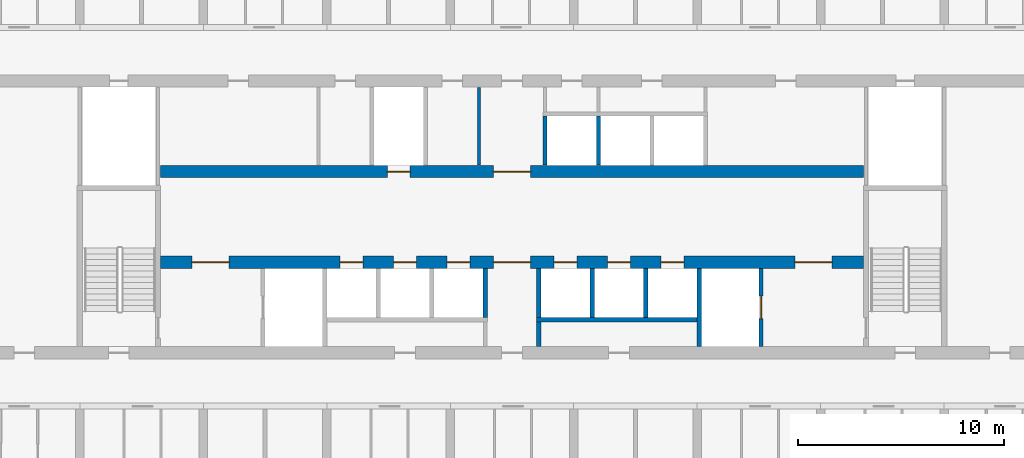
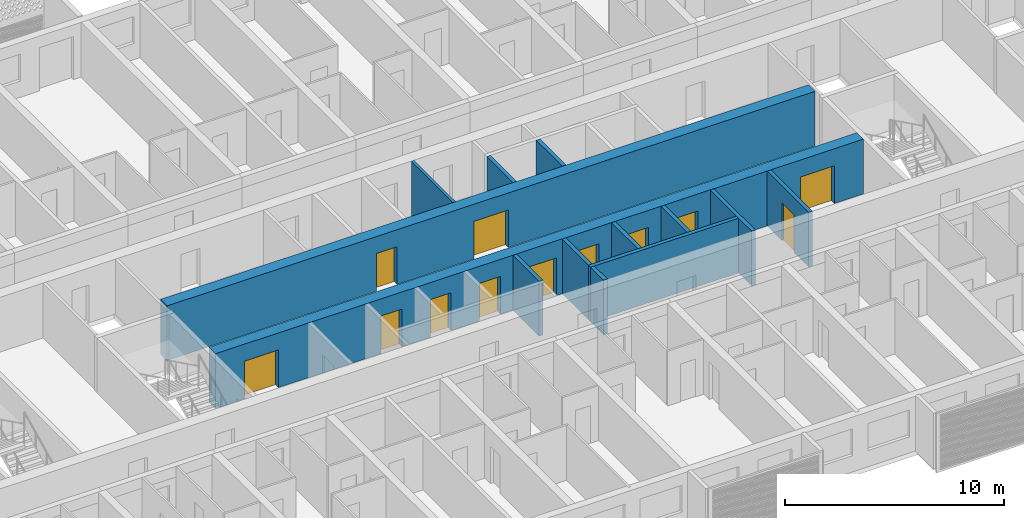
# One storey, part 8 of 40: 13 walls, 12 doors, 12 openings.
"""IFC4 building model written with IfcOpenShell, lengths in metres."""

from ifc_helpers import new_model, si_unit, direction, frame, frame_2d, origin, place, context, subcontext, project, spatial, rectangle, extrude, material, layer, layer_set, type_object, element, fill, save


model = new_model("IFC4")

# Units and contexts
model_context = context("Model", 3, precision=1e-05, world=origin(), true_north=direction((0.0, 1.0)))
body_context = subcontext(model_context, "Body", "Model", "MODEL_VIEW")
ifc_project = project(units=[si_unit("LENGTHUNIT", "METRE"), si_unit("AREAUNIT", "SQUARE_METRE"), si_unit("VOLUMEUNIT", "CUBIC_METRE"), si_unit("PLANEANGLEUNIT", "RADIAN"), si_unit("MASSUNIT", "GRAM", prefix="KILO")], contexts=[model_context])

# Site, building, storey
site_placement = place(None, origin())
site = spatial("IfcSite", under=ifc_project, at=site_placement, CompositionType="ELEMENT")
building_placement = place(site_placement, origin())
building = spatial("IfcBuilding", under=site, at=building_placement, Name="Poui Terraces", CompositionType="ELEMENT")
storey_placement = place(building_placement, frame((0.0, 0.0, 36.60009765625)))
storey = spatial("IfcBuildingStorey", under=building, at=storey_placement, Name="L09", CompositionType="ELEMENT", Elevation=36.60009765625)

# Wall, openings, doors
ifc_material_1 = material(Name="Concrete 80 MPa", Category="concrete")
ifc_layer_1 = layer(ifc_material_1, 0.60009765625)
ifc_layer_set_1 = layer_set([ifc_layer_1], Name="Concrete 80 MPa")
wall_type_1 = type_object("IfcWallType", Name="CORE WALL 600 80 MPA", PredefinedType="SOLIDWALL", material=ifc_layer_set_1)
wall_1_placement = place(storey_placement, frame((33.925048828125, 19.0, 0.0), z_axis=(0.0, 0.0, 1.0), x_axis=(1.0, 0.0, 0.0)))
wall_1 = element("IfcWall", 1, at=wall_1_placement, inside=storey, type_object=wall_type_1, Name="CORE WALL", PredefinedType="SOLIDWALL", context=body_context, shape_type="SweptSolid", body=[
    extrude(rectangle(XDim=34.14990234375, YDim=0.60009765625, at=frame_2d((17.074951171875, 0.0))), origin(), (0.0, 0.0, 1.0), 3.0498046875),
])
opening_1_placement = place(wall_1_placement, frame((16.175048828125, 0.0, 0.0)))
opening_1 = element("IfcOpeningElement", 2, at=opening_1_placement, cuts=wall_1, Name="Opening FDD60", PredefinedType="OPENING", context=body_context, shape_type="SweptSolid", body=[
    extrude(rectangle(XDim=1.800048828125, YDim=2.10009765625, at=frame_2d((0.89990234375, 1.050048828125))), frame((0.0, 0.31005859375, 0.0), z_axis=(0.0, -1.0, 0.0), x_axis=(1.0, 0.0, 0.0)), (0.0, 0.0, 1.0), 0.6201171875),
])
opening_2_placement = place(wall_1_placement, frame((1.52490234375, 0.0, 0.0)))
opening_2 = element("IfcOpeningElement", 3, at=opening_2_placement, cuts=wall_1, Name="Opening FDD60", PredefinedType="OPENING", context=body_context, shape_type="SweptSolid", body=[
    extrude(rectangle(XDim=1.800048828125, YDim=2.10009765625, at=frame_2d((0.89990234375, 1.050048828125))), frame((0.0, 0.31005859375, 0.0), z_axis=(0.0, -1.0, 0.0), x_axis=(1.0, 0.0, 0.0)), (0.0, 0.0, 1.0), 0.6201171875),
])
opening_3_placement = place(wall_1_placement, frame((8.72509765625, 0.0, 0.0)))
opening_3 = element("IfcOpeningElement", 4, at=opening_3_placement, cuts=wall_1, Name="Opening LD", PredefinedType="OPENING", context=body_context, shape_type="SweptSolid", body=[
    extrude(rectangle(XDim=1.10009765625, YDim=2.10009765625, at=frame_2d((0.550048828125, 1.050048828125))), frame((0.0, 0.31005859375, 0.0), z_axis=(0.0, -1.0, 0.0), x_axis=(1.0, 0.0, 0.0)), (0.0, 0.0, 1.0), 0.6201171875),
])
opening_4_placement = place(wall_1_placement, frame((11.324951171875, 0.0, 0.0)))
opening_4 = element("IfcOpeningElement", 5, at=opening_4_placement, cuts=wall_1, Name="Opening LD", PredefinedType="OPENING", context=body_context, shape_type="SweptSolid", body=[
    extrude(rectangle(XDim=1.10009765625, YDim=2.10009765625, at=frame_2d((0.550048828125, 1.050048828125))), frame((0.0, 0.31005859375, 0.0), z_axis=(0.0, -1.0, 0.0), x_axis=(1.0, 0.0, 0.0)), (0.0, 0.0, 1.0), 0.6201171875),
])
opening_5_placement = place(wall_1_placement, frame((13.925048828125, 0.0, 0.0)))
opening_5 = element("IfcOpeningElement", 6, at=opening_5_placement, cuts=wall_1, Name="Opening LD", PredefinedType="OPENING", context=body_context, shape_type="SweptSolid", body=[
    extrude(rectangle(XDim=1.10009765625, YDim=2.10009765625, at=frame_2d((0.550048828125, 1.050048828125))), frame((0.0, 0.31005859375, 0.0), z_axis=(0.0, -1.0, 0.0), x_axis=(1.0, 0.0, 0.0)), (0.0, 0.0, 1.0), 0.6201171875),
])
opening_6_placement = place(wall_1_placement, frame((19.125, 0.0, 0.0)))
opening_6 = element("IfcOpeningElement", 7, at=opening_6_placement, cuts=wall_1, Name="Opening LD", PredefinedType="OPENING", context=body_context, shape_type="SweptSolid", body=[
    extrude(rectangle(XDim=1.10009765625, YDim=2.10009765625, at=frame_2d((0.550048828125, 1.050048828125))), frame((0.0, 0.31005859375, 0.0), z_axis=(0.0, -1.0, 0.0), x_axis=(1.0, 0.0, 0.0)), (0.0, 0.0, 1.0), 0.6201171875),
])
opening_7_placement = place(wall_1_placement, frame((21.72509765625, 0.0, 0.0)))
opening_7 = element("IfcOpeningElement", 8, at=opening_7_placement, cuts=wall_1, Name="Opening LD", PredefinedType="OPENING", context=body_context, shape_type="SweptSolid", body=[
    extrude(rectangle(XDim=1.10009765625, YDim=2.10009765625, at=frame_2d((0.550048828125, 1.050048828125))), frame((0.0, 0.31005859375, 0.0), z_axis=(0.0, -1.0, 0.0), x_axis=(1.0, 0.0, 0.0)), (0.0, 0.0, 1.0), 0.6201171875),
])
opening_8_placement = place(wall_1_placement, frame((24.324951171875, 0.0, 0.0)))
opening_8 = element("IfcOpeningElement", 9, at=opening_8_placement, cuts=wall_1, Name="Opening LD", PredefinedType="OPENING", context=body_context, shape_type="SweptSolid", body=[
    extrude(rectangle(XDim=1.10009765625, YDim=2.10009765625, at=frame_2d((0.550048828125, 1.050048828125))), frame((0.0, 0.31005859375, 0.0), z_axis=(0.0, -1.0, 0.0), x_axis=(1.0, 0.0, 0.0)), (0.0, 0.0, 1.0), 0.6201171875),
])
opening_9_placement = place(wall_1_placement, frame((30.824951171875, 0.0, 0.0)))
opening_9 = element("IfcOpeningElement", 10, at=opening_9_placement, cuts=wall_1, Name="Opening FDD60", PredefinedType="OPENING", context=body_context, shape_type="SweptSolid", body=[
    extrude(rectangle(XDim=1.800048828125, YDim=2.10009765625, at=frame_2d((0.89990234375, 1.050048828125))), frame((0.0, 0.31005859375, 0.0), z_axis=(0.0, -1.0, 0.0), x_axis=(1.0, 0.0, 0.0)), (0.0, 0.0, 1.0), 0.6201171875),
])
ifc_material_2 = material(Name="Steel fire door", Category="steel")
door_type_1 = type_object("IfcDoorType", Name="DOUBLE LOBBY FIRE DOOR 1800 X 2100", OperationType="DOUBLE_DOOR_SINGLE_SWING", PredefinedType="DOOR", material=ifc_material_2)
door_1_placement = place(opening_1_placement, frame((1.800048828125, 0.0, 0.0), z_axis=(0.0, 0.0, 1.0), x_axis=(-1.0, 0.0, 0.0)))
door_1 = element("IfcDoor", 11, at=door_1_placement, inside=storey, type_object=door_type_1, Name="DOUBLE LOBBY FIRE DOOR 154", OperationType="DOUBLE_DOOR_SINGLE_SWING", OverallHeight=2.10009765625, OverallWidth=1.800048828125, PredefinedType="DOOR", context=body_context, shape_type="SweptSolid", body=[
    extrude(rectangle(XDim=1.800048828125, YDim=2.10009765625, at=frame_2d((0.89990234375, 1.050048828125))), frame((0.0, 0.02490234375, 0.0), z_axis=(0.0, -1.0, 0.0), x_axis=(1.0, 0.0, 0.0)), (0.0, 0.0, 1.0), 0.050048828125),
])
fill(opening_1, door_1)
door_2_placement = place(opening_2_placement, origin())
door_2 = element("IfcDoor", 12, at=door_2_placement, inside=storey, type_object=door_type_1, Name="DOUBLE LOBBY FIRE DOOR 155", OperationType="DOUBLE_DOOR_SINGLE_SWING", OverallHeight=2.10009765625, OverallWidth=1.800048828125, PredefinedType="DOOR", context=body_context, shape_type="SweptSolid", body=[
    extrude(rectangle(XDim=1.800048828125, YDim=2.10009765625, at=frame_2d((0.89990234375, 1.050048828125))), frame((0.0, 0.02490234375, 0.0), z_axis=(0.0, -1.0, 0.0), x_axis=(1.0, 0.0, 0.0)), (0.0, 0.0, 1.0), 0.050048828125),
])
fill(opening_2, door_2)
door_3_placement = place(opening_9_placement, origin())
door_3 = element("IfcDoor", 13, at=door_3_placement, inside=storey, type_object=door_type_1, Name="DOUBLE LOBBY FIRE DOOR 163", OperationType="DOUBLE_DOOR_SINGLE_SWING", OverallHeight=2.10009765625, OverallWidth=1.800048828125, PredefinedType="DOOR", context=body_context, shape_type="SweptSolid", body=[
    extrude(rectangle(XDim=1.800048828125, YDim=2.10009765625, at=frame_2d((0.89990234375, 1.050048828125))), frame((0.0, 0.02490234375, 0.0), z_axis=(0.0, -1.0, 0.0), x_axis=(1.0, 0.0, 0.0)), (0.0, 0.0, 1.0), 0.050048828125),
])
fill(opening_9, door_3)
ifc_material_3 = material(Name="Stainless steel sliding door", Category="steel")
door_type_2 = type_object("IfcDoorType", Name="LIFT LANDING DOOR 1100 X 2100", OperationType="DOUBLE_DOOR_SLIDING", PredefinedType="DOOR", material=ifc_material_3)
door_4_placement = place(opening_3_placement, origin())
door_4 = element("IfcDoor", 14, at=door_4_placement, inside=storey, type_object=door_type_2, Name="LANDING DOOR", OperationType="DOUBLE_DOOR_SLIDING", OverallHeight=2.10009765625, OverallWidth=1.10009765625, PredefinedType="DOOR", context=body_context, shape_type="SweptSolid", body=[
    extrude(rectangle(XDim=1.10009765625, YDim=2.10009765625, at=frame_2d((0.550048828125, 1.050048828125))), frame((0.0, 0.02490234375, 0.0), z_axis=(0.0, -1.0, 0.0), x_axis=(1.0, 0.0, 0.0)), (0.0, 0.0, 1.0), 0.050048828125),
])
fill(opening_3, door_4)
door_5_placement = place(opening_4_placement, origin())
door_5 = element("IfcDoor", 15, at=door_5_placement, inside=storey, type_object=door_type_2, Name="LANDING DOOR", OperationType="DOUBLE_DOOR_SLIDING", OverallHeight=2.10009765625, OverallWidth=1.10009765625, PredefinedType="DOOR", context=body_context, shape_type="SweptSolid", body=[
    extrude(rectangle(XDim=1.10009765625, YDim=2.10009765625, at=frame_2d((0.550048828125, 1.050048828125))), frame((0.0, 0.02490234375, 0.0), z_axis=(0.0, -1.0, 0.0), x_axis=(1.0, 0.0, 0.0)), (0.0, 0.0, 1.0), 0.050048828125),
])
fill(opening_4, door_5)
door_6_placement = place(opening_5_placement, origin())
door_6 = element("IfcDoor", 16, at=door_6_placement, inside=storey, type_object=door_type_2, Name="LANDING DOOR", OperationType="DOUBLE_DOOR_SLIDING", OverallHeight=2.10009765625, OverallWidth=1.10009765625, PredefinedType="DOOR", context=body_context, shape_type="SweptSolid", body=[
    extrude(rectangle(XDim=1.10009765625, YDim=2.10009765625, at=frame_2d((0.550048828125, 1.050048828125))), frame((0.0, 0.02490234375, 0.0), z_axis=(0.0, -1.0, 0.0), x_axis=(1.0, 0.0, 0.0)), (0.0, 0.0, 1.0), 0.050048828125),
])
fill(opening_5, door_6)
door_7_placement = place(opening_6_placement, origin())
door_7 = element("IfcDoor", 17, at=door_7_placement, inside=storey, type_object=door_type_2, Name="LANDING DOOR", OperationType="DOUBLE_DOOR_SLIDING", OverallHeight=2.10009765625, OverallWidth=1.10009765625, PredefinedType="DOOR", context=body_context, shape_type="SweptSolid", body=[
    extrude(rectangle(XDim=1.10009765625, YDim=2.10009765625, at=frame_2d((0.550048828125, 1.050048828125))), frame((0.0, 0.02490234375, 0.0), z_axis=(0.0, -1.0, 0.0), x_axis=(1.0, 0.0, 0.0)), (0.0, 0.0, 1.0), 0.050048828125),
])
fill(opening_6, door_7)
door_8_placement = place(opening_7_placement, origin())
door_8 = element("IfcDoor", 18, at=door_8_placement, inside=storey, type_object=door_type_2, Name="LANDING DOOR", OperationType="DOUBLE_DOOR_SLIDING", OverallHeight=2.10009765625, OverallWidth=1.10009765625, PredefinedType="DOOR", context=body_context, shape_type="SweptSolid", body=[
    extrude(rectangle(XDim=1.10009765625, YDim=2.10009765625, at=frame_2d((0.550048828125, 1.050048828125))), frame((0.0, 0.02490234375, 0.0), z_axis=(0.0, -1.0, 0.0), x_axis=(1.0, 0.0, 0.0)), (0.0, 0.0, 1.0), 0.050048828125),
])
fill(opening_7, door_8)
door_9_placement = place(opening_8_placement, origin())
door_9 = element("IfcDoor", 19, at=door_9_placement, inside=storey, type_object=door_type_2, Name="LANDING DOOR", OperationType="DOUBLE_DOOR_SLIDING", OverallHeight=2.10009765625, OverallWidth=1.10009765625, PredefinedType="DOOR", context=body_context, shape_type="SweptSolid", body=[
    extrude(rectangle(XDim=1.10009765625, YDim=2.10009765625, at=frame_2d((0.550048828125, 1.050048828125))), frame((0.0, 0.02490234375, 0.0), z_axis=(0.0, -1.0, 0.0), x_axis=(1.0, 0.0, 0.0)), (0.0, 0.0, 1.0), 0.050048828125),
])
fill(opening_8, door_9)

wall_2_placement = place(storey_placement, frame((33.925048828125, 23.39990234375, 0.0), z_axis=(0.0, 0.0, 1.0), x_axis=(1.0, 0.0, 0.0)))
wall_2 = element("IfcWall", 20, at=wall_2_placement, inside=storey, type_object=wall_type_1, Name="CORE WALL", PredefinedType="SOLIDWALL", context=body_context, shape_type="SweptSolid", body=[
    extrude(rectangle(XDim=34.14990234375, YDim=0.60009765625, at=frame_2d((17.074951171875, 0.0))), origin(), (0.0, 0.0, 1.0), 3.0498046875),
])
opening_10_placement = place(wall_2_placement, frame((16.175048828125, 0.0, 0.0)))
opening_10 = element("IfcOpeningElement", 21, at=opening_10_placement, cuts=wall_2, Name="Opening FDD60", PredefinedType="OPENING", context=body_context, shape_type="SweptSolid", body=[
    extrude(rectangle(XDim=1.800048828125, YDim=2.10009765625, at=frame_2d((0.89990234375, 1.050048828125))), frame((0.0, 0.31005859375, 0.0), z_axis=(0.0, -1.0, 0.0), x_axis=(1.0, 0.0, 0.0)), (0.0, 0.0, 1.0), 0.6201171875),
])
opening_11_placement = place(wall_2_placement, frame((11.02490234375, 0.0, 0.0)))
opening_11 = element("IfcOpeningElement", 22, at=opening_11_placement, cuts=wall_2, Name="Opening LD", PredefinedType="OPENING", context=body_context, shape_type="SweptSolid", body=[
    extrude(rectangle(XDim=1.10009765625, YDim=2.10009765625, at=frame_2d((0.550048828125, 1.050048828125))), frame((0.0, 0.31005859375, 0.0), z_axis=(0.0, -1.0, 0.0), x_axis=(1.0, 0.0, 0.0)), (0.0, 0.0, 1.0), 0.6201171875),
])
door_10_placement = place(opening_10_placement, origin())
door_10 = element("IfcDoor", 23, at=door_10_placement, inside=storey, type_object=door_type_1, Name="DOUBLE LOBBY FIRE DOOR 153", OperationType="DOUBLE_DOOR_SINGLE_SWING", OverallHeight=2.10009765625, OverallWidth=1.800048828125, PredefinedType="DOOR", context=body_context, shape_type="SweptSolid", body=[
    extrude(rectangle(XDim=1.800048828125, YDim=2.10009765625, at=frame_2d((0.89990234375, 1.050048828125))), frame((0.0, 0.02490234375, 0.0), z_axis=(0.0, -1.0, 0.0), x_axis=(1.0, 0.0, 0.0)), (0.0, 0.0, 1.0), 0.050048828125),
])
fill(opening_10, door_10)
door_11_placement = place(opening_11_placement, origin())
door_11 = element("IfcDoor", 24, at=door_11_placement, inside=storey, type_object=door_type_2, Name="LANDING DOOR", OperationType="DOUBLE_DOOR_SLIDING", OverallHeight=2.10009765625, OverallWidth=1.10009765625, PredefinedType="DOOR", context=body_context, shape_type="SweptSolid", body=[
    extrude(rectangle(XDim=1.10009765625, YDim=2.10009765625, at=frame_2d((0.550048828125, 1.050048828125))), frame((0.0, 0.02490234375, 0.0), z_axis=(0.0, -1.0, 0.0), x_axis=(1.0, 0.0, 0.0)), (0.0, 0.0, 1.0), 0.050048828125),
])
fill(opening_11, door_11)

# Walls
ifc_material_4 = material(Name="Fire-rated plasterboard wall")
ifc_layer_2 = layer(ifc_material_4, 0.14990234375)
ifc_layer_set_2 = layer_set([ifc_layer_2], Name="Fire-rated plasterboard wall")
wall_type_2 = type_object("IfcWallType", Name="CORRIDOR WALL 150", PredefinedType="PARTITIONING", material=ifc_layer_set_2)
wall_3_placement = place(storey_placement, frame((49.39990234375, 23.7099609375, 0.0), z_axis=(0.0, 0.0, 1.0), x_axis=(0.0, 1.0, 0.0)))
element("IfcWall", 25, at=wall_3_placement, inside=storey, type_object=wall_type_2, Name="CORRIDOR WALL 150", PredefinedType="PARTITIONING", context=body_context, shape_type="SweptSolid", body=[
    extrude(rectangle(XDim=3.780029296875, YDim=0.14990234375, at=frame_2d((1.89013671875, 0.0))), origin(), (0.0, 0.0, 1.0), 3.0498046875),
])
ifc_material_5 = material(Name="Fire-rated masonry wall", Category="masonry")
ifc_layer_3 = layer(ifc_material_5, 0.199951171875)
ifc_layer_set_3 = layer_set([ifc_layer_3], Name="Fire-rated masonry wall")
wall_type_3 = type_object("IfcWallType", Name="PLANT ROOM WALL 200", PredefinedType="PARTITIONING", material=ifc_layer_set_3)
wall_4_placement = place(storey_placement, frame((52.300048828125, 14.909912109375, 0.0), z_axis=(0.0, 0.0, 1.0), x_axis=(0.0, 1.0, 0.0)))
element("IfcWall", 26, at=wall_4_placement, inside=storey, type_object=wall_type_3, Name="PLANT ROOM WALL 200", PredefinedType="PARTITIONING", context=body_context, shape_type="SweptSolid", body=[
    extrude(rectangle(XDim=1.190185546875, YDim=0.199951171875, at=frame_2d((0.59521484375, 0.0))), origin(), (0.0, 0.0, 1.0), 3.0498046875),
])
ifc_material_6 = material(Name="Fire-rated masonry shaft wall", Category="masonry")
ifc_layer_4 = layer(ifc_material_6, 0.199951171875)
ifc_layer_set_4 = layer_set([ifc_layer_4], Name="Fire-rated masonry shaft wall")
wall_type_4 = type_object("IfcWallType", Name="SHAFT WALL 200", PredefinedType="PARTITIONING", material=ifc_layer_set_4)
wall_5_placement = place(storey_placement, frame((52.199951171875, 16.199951171875, 0.0), z_axis=(0.0, 0.0, 1.0), x_axis=(1.0, 0.0, 0.0)))
element("IfcWall", 27, at=wall_5_placement, inside=storey, type_object=wall_type_4, Name="SHAFT WALL 200", PredefinedType="PARTITIONING", context=body_context, shape_type="SweptSolid", body=[
    extrude(rectangle(XDim=7.800048828125, YDim=0.199951171875, at=frame_2d((3.89990234375, 0.0))), origin(), (0.0, 0.0, 1.0), 3.0498046875),
])
for number, where, z_axis, x_axis, name in (
    (28, (49.699951171875, 16.300048828125, 0.0), (0.0, 0.0, 1.0), (0.0, 1.0, 0.0), "SHAFT WALL 200"),
    (29, (52.300048828125, 16.300048828125, 0.0), (0.0, 0.0, 1.0), (0.0, 1.0, 0.0), "SHAFT WALL 200"),
):
    element("IfcWall", number, at=place(storey_placement, frame(where, z_axis=z_axis, x_axis=x_axis)), inside=storey, type_object=wall_type_4, Name=name, PredefinedType="PARTITIONING", context=body_context, shape_type="SweptSolid", body=[
        extrude(rectangle(XDim=2.389892578125, YDim=0.199951171875, at=frame_2d((1.19482421875, 0.0))), origin(), (0.0, 0.0, 1.0), 3.0498046875),
    ])
wall_6_placement = place(storey_placement, frame((52.60009765625, 23.7099609375, 0.0), z_axis=(0.0, 0.0, 1.0), x_axis=(0.0, 1.0, 0.0)))
element("IfcWall", 30, at=wall_6_placement, inside=storey, type_object=wall_type_4, Name="SHAFT WALL 200", PredefinedType="PARTITIONING", context=body_context, shape_type="SweptSolid", body=[
    extrude(rectangle(XDim=2.39013671875, YDim=0.199951171875, at=frame_2d((1.195068359375, 0.0))), origin(), (0.0, 0.0, 1.0), 3.0498046875),
])
wall_7_placement = place(storey_placement, frame((54.89990234375, 16.300048828125, 0.0), z_axis=(0.0, 0.0, 1.0), x_axis=(0.0, 1.0, 0.0)))
element("IfcWall", 31, at=wall_7_placement, inside=storey, type_object=wall_type_4, Name="SHAFT WALL 200", PredefinedType="PARTITIONING", context=body_context, shape_type="SweptSolid", body=[
    extrude(rectangle(XDim=2.389892578125, YDim=0.199951171875, at=frame_2d((1.19482421875, 0.0))), origin(), (0.0, 0.0, 1.0), 3.0498046875),
])
wall_8_placement = place(storey_placement, frame((55.199951171875, 23.7099609375, 0.0), z_axis=(0.0, 0.0, 1.0), x_axis=(0.0, 1.0, 0.0)))
element("IfcWall", 32, at=wall_8_placement, inside=storey, type_object=wall_type_4, Name="SHAFT WALL 200", PredefinedType="PARTITIONING", context=body_context, shape_type="SweptSolid", body=[
    extrude(rectangle(XDim=2.39013671875, YDim=0.199951171875, at=frame_2d((1.195068359375, 0.0))), origin(), (0.0, 0.0, 1.0), 3.0498046875),
])
wall_9_placement = place(storey_placement, frame((57.5, 16.300048828125, 0.0), z_axis=(0.0, 0.0, 1.0), x_axis=(0.0, 1.0, 0.0)))
element("IfcWall", 33, at=wall_9_placement, inside=storey, type_object=wall_type_4, Name="SHAFT WALL 200", PredefinedType="PARTITIONING", context=body_context, shape_type="SweptSolid", body=[
    extrude(rectangle(XDim=2.389892578125, YDim=0.199951171875, at=frame_2d((1.19482421875, 0.0))), origin(), (0.0, 0.0, 1.0), 3.0498046875),
])
wall_10_placement = place(storey_placement, frame((60.10009765625, 14.909912109375, 0.0), z_axis=(0.0, 0.0, 1.0), x_axis=(0.0, 1.0, 0.0)))
element("IfcWall", 34, at=wall_10_placement, inside=storey, type_object=wall_type_4, Name="SHAFT WALL 200", PredefinedType="PARTITIONING", context=body_context, shape_type="SweptSolid", body=[
    extrude(rectangle(XDim=3.780029296875, YDim=0.199951171875, at=frame_2d((1.89013671875, 0.0))), origin(), (0.0, 0.0, 1.0), 3.0498046875),
])

# Wall, opening, door
wall_11_placement = place(storey_placement, frame((63.10009765625, 14.909912109375, 0.0), z_axis=(0.0, 0.0, 1.0), x_axis=(0.0, 1.0, 0.0)))
wall_11 = element("IfcWall", 35, at=wall_11_placement, inside=storey, type_object=wall_type_4, Name="SHAFT WALL 200", PredefinedType="PARTITIONING", context=body_context, shape_type="SweptSolid", body=[
    extrude(rectangle(XDim=3.780029296875, YDim=0.199951171875, at=frame_2d((1.89013671875, 0.0))), origin(), (0.0, 0.0, 1.0), 3.0498046875),
])
opening_12_placement = place(wall_11_placement, frame((1.340087890625, 0.0, 0.0)))
opening_12 = element("IfcOpeningElement", 36, at=opening_12_placement, cuts=wall_11, Name="Opening LD", PredefinedType="OPENING", context=body_context, shape_type="SweptSolid", body=[
    extrude(rectangle(XDim=1.10009765625, YDim=2.10009765625, at=frame_2d((0.550048828125, 1.050048828125))), frame((0.0, 0.10986328125, 0.0), z_axis=(0.0, -1.0, 0.0), x_axis=(1.0, 0.0, 0.0)), (0.0, 0.0, 1.0), 0.219970703125),
])
door_12_placement = place(opening_12_placement, origin())
door_12 = element("IfcDoor", 37, at=door_12_placement, inside=storey, type_object=door_type_2, Name="LANDING DOOR", OperationType="DOUBLE_DOOR_SLIDING", OverallHeight=2.10009765625, OverallWidth=1.10009765625, PredefinedType="DOOR", context=body_context, shape_type="SweptSolid", body=[
    extrude(rectangle(XDim=1.10009765625, YDim=2.10009765625, at=frame_2d((0.550048828125, 1.050048828125))), frame((0.0, 0.02490234375, 0.0), z_axis=(0.0, -1.0, 0.0), x_axis=(1.0, 0.0, 0.0)), (0.0, 0.0, 1.0), 0.050048828125),
])
fill(opening_12, door_12)

save(model, "model.ifc")
